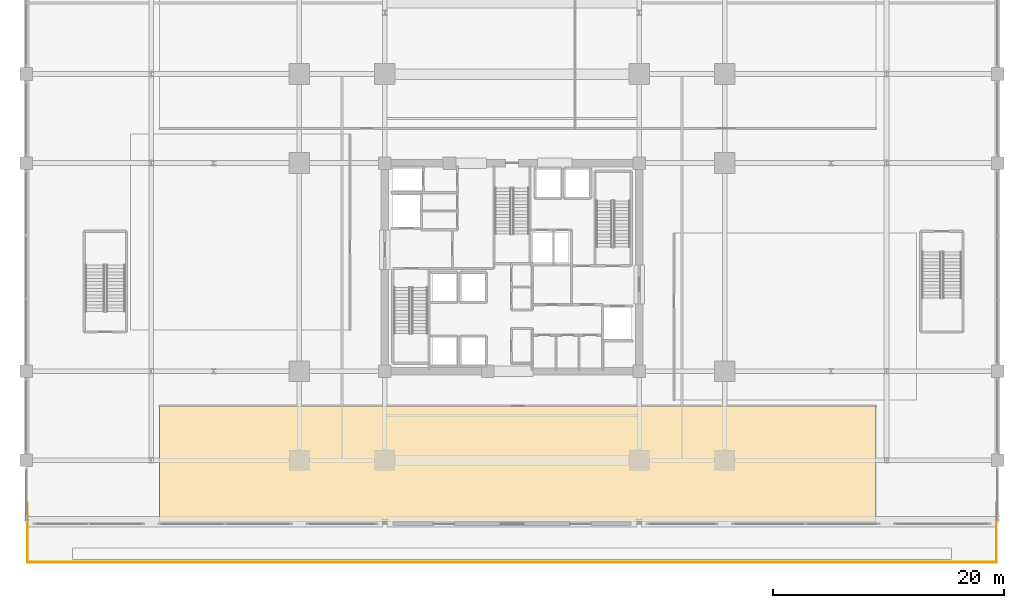
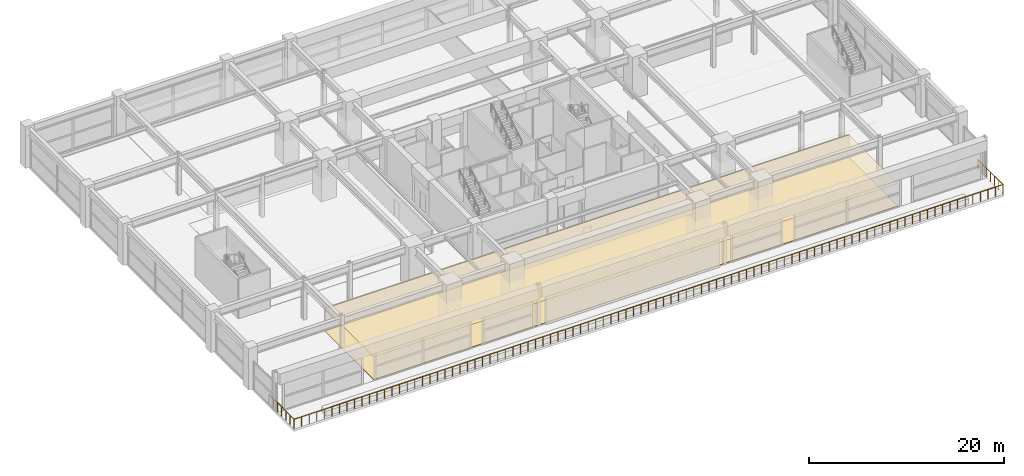
# One storey, part 40 of 43: 2 coverings, 1 railing.
"""IFC4 building model written with IfcOpenShell, lengths in metres."""

from ifc_helpers import new_model, si_unit, direction, frame, origin, origin_2d, place, context, subcontext, project, spatial, polyline, circle, outline, extrude, material, layer, layer_set, type_object, element, save


model = new_model("IFC4")

# Units and contexts
model_context = context("Model", 3, precision=1e-05, world=origin(), true_north=direction((0.0, 1.0)))
body_context = subcontext(model_context, "Body", "Model", "MODEL_VIEW")
ifc_project = project(units=[si_unit("LENGTHUNIT", "METRE"), si_unit("AREAUNIT", "SQUARE_METRE"), si_unit("VOLUMEUNIT", "CUBIC_METRE"), si_unit("PLANEANGLEUNIT", "RADIAN"), si_unit("MASSUNIT", "GRAM", prefix="KILO")], contexts=[model_context])

# Site, building, storey
site_placement = place(None, origin())
site = spatial("IfcSite", under=ifc_project, at=site_placement, CompositionType="ELEMENT")
building_placement = place(site_placement, origin())
building = spatial("IfcBuilding", under=site, at=building_placement, Name="Kovane Verandah Tower", CompositionType="ELEMENT")
storey_placement = place(building_placement, frame((0.0, 0.0, 11.199951171875)))
storey = spatial("IfcBuildingStorey", under=building, at=storey_placement, Name="L02", CompositionType="ELEMENT", Elevation=11.199951171875)

# Coverings
ifc_material_1 = material(Name="Perforated Acoustic Mineral-Fibre Ceiling Tile", Category="gypsum")
ifc_layer_1 = layer(ifc_material_1, 0.02490234375)
ifc_layer_set_1 = layer_set([ifc_layer_1], Name="Perforated Acoustic Mineral-Fibre Ceiling Tile")
covering_type_1 = type_object("IfcCoveringType", Name="CV-CEIL-25", PredefinedType="CEILING", material=ifc_layer_set_1)
covering_1_placement = place(storey_placement, frame((0.0, 0.0, 2.824951171875)))
element("IfcCovering", 1, at=covering_1_placement, inside=storey, type_object=covering_type_1, Name="L02 South Exhibition Gallery Acoustic Ceiling", PredefinedType="CEILING", context=body_context, shape_type="SweptSolid", body=[
    extrude(outline(polyline([(9.5, 5.449951171875), (71.5, 5.449951171875), (71.5, 15.5), (9.5, 15.5), (9.5, 5.449951171875)])), origin(), (0.0, 0.0, 1.0), 0.025146484375),
])
ifc_material_2 = material(Name="Polished Terrazzo and Raised-Access Carpet Tile Finish", Category="concrete")
ifc_layer_2 = layer(ifc_material_2, 0.030029296875)
ifc_layer_set_2 = layer_set([ifc_layer_2], Name="Polished Terrazzo and Raised-Access Carpet Tile Finish")
covering_type_2 = type_object("IfcCoveringType", Name="CV-FLOR-30", PredefinedType="FLOORING", material=ifc_layer_set_2)
covering_2_placement = place(storey_placement, origin())
element("IfcCovering", 2, at=covering_2_placement, inside=storey, type_object=covering_type_2, Name="L02 South Exhibition Gallery Floor Finish", PredefinedType="FLOORING", context=body_context, shape_type="SweptSolid", body=[
    extrude(outline(polyline([(9.5, 5.449951171875), (71.5, 5.449951171875), (71.5, 15.5), (9.5, 15.5), (9.5, 5.449951171875)])), origin(), (0.0, 0.0, 1.0), 0.030029296875),
])

# Railing
ifc_material_3 = material(Name="Pale-Champagne Stainless Steel and Glass Perimeter Guard", Category="steel")
railing_type = type_object("IfcRailingType", Name="RL-GDN-1200", PredefinedType="GUARDRAIL", material=ifc_material_3)
railing_placement = place(storey_placement, frame((-1.919921875, 7.10009765625, 0.0)))
element("IfcRailing", 3, at=railing_placement, inside=storey, type_object=railing_type, Name="L02 Cascading Garden Terrace Balustrade", PredefinedType="GUARDRAIL", context=body_context, shape_type="SweptSolid", body=[
    extrude(circle(Radius=0.02392578125, at=origin_2d()), frame((0.0, 0.0, 1.17578125), z_axis=(0.0, -1.0, 0.0), x_axis=(1.0, 0.0, 0.0)), (0.0, 0.0, 1.0), 5.1201171875),
    extrude(circle(Radius=0.02392578125, at=origin_2d()), frame((0.0, -5.1201171875, 1.17578125), z_axis=(1.0, 0.0, 0.0), x_axis=(0.0, 1.0, 0.0)), (0.0, 0.0, 1.0), 83.83984375),
    extrude(circle(Radius=0.02392578125, at=origin_2d()), frame((83.83984375, -5.1201171875, 1.17578125), z_axis=(0.0, 1.0, 0.0), x_axis=(-1.0, 0.0, 0.0)), (0.0, 0.0, 1.0), 5.1201171875),
    extrude(circle(Radius=0.02099609375, at=origin_2d()), origin(), (0.0, 0.0, 1.0), 1.15185546875),
    extrude(circle(Radius=0.02099609375, at=origin_2d()), frame((0.0, -0.853271484375, 0.0)), (0.0, 0.0, 1.0), 1.15185546875),
    extrude(circle(Radius=0.02099609375, at=origin_2d()), frame((0.0, -1.706787109375, 0.0)), (0.0, 0.0, 1.0), 1.15185546875),
    extrude(circle(Radius=0.02099609375, at=origin_2d()), frame((0.0, -2.56005859375, 0.0)), (0.0, 0.0, 1.0), 1.15185546875),
    extrude(circle(Radius=0.02099609375, at=origin_2d()), frame((0.0, -3.413330078125, 0.0)), (0.0, 0.0, 1.0), 1.15185546875),
    extrude(circle(Radius=0.02099609375, at=origin_2d()), frame((0.0, -4.266845703125, 0.0)), (0.0, 0.0, 1.0), 1.15185546875),
    extrude(circle(Radius=0.02099609375, at=origin_2d()), frame((0.0, -5.1201171875, 0.0)), (0.0, 0.0, 1.0), 1.15185546875),
    extrude(circle(Radius=0.02099609375, at=origin_2d()), frame((0.891845703125, -5.1201171875, 0.0)), (0.0, 0.0, 1.0), 1.15185546875),
    extrude(circle(Radius=0.02099609375, at=origin_2d()), frame((1.783935546875, -5.1201171875, 0.0)), (0.0, 0.0, 1.0), 1.15185546875),
    extrude(circle(Radius=0.02099609375, at=origin_2d()), frame((2.67578125, -5.1201171875, 0.0)), (0.0, 0.0, 1.0), 1.15185546875),
    extrude(circle(Radius=0.02099609375, at=origin_2d()), frame((3.567626953125, -5.1201171875, 0.0)), (0.0, 0.0, 1.0), 1.15185546875),
    extrude(circle(Radius=0.02099609375, at=origin_2d()), frame((4.45947265625, -5.1201171875, 0.0)), (0.0, 0.0, 1.0), 1.15185546875),
    extrude(circle(Radius=0.02099609375, at=origin_2d()), frame((5.3515625, -5.1201171875, 0.0)), (0.0, 0.0, 1.0), 1.15185546875),
    extrude(circle(Radius=0.02099609375, at=origin_2d()), frame((6.243408203125, -5.1201171875, 0.0)), (0.0, 0.0, 1.0), 1.15185546875),
    extrude(circle(Radius=0.02099609375, at=origin_2d()), frame((7.13525390625, -5.1201171875, 0.0)), (0.0, 0.0, 1.0), 1.15185546875),
    extrude(circle(Radius=0.02099609375, at=origin_2d()), frame((8.027099609375, -5.1201171875, 0.0)), (0.0, 0.0, 1.0), 1.15185546875),
    extrude(circle(Radius=0.02099609375, at=origin_2d()), frame((8.919189453125, -5.1201171875, 0.0)), (0.0, 0.0, 1.0), 1.15185546875),
    extrude(circle(Radius=0.02099609375, at=origin_2d()), frame((9.81103515625, -5.1201171875, 0.0)), (0.0, 0.0, 1.0), 1.15185546875),
    extrude(circle(Radius=0.02099609375, at=origin_2d()), frame((10.702880859375, -5.1201171875, 0.0)), (0.0, 0.0, 1.0), 1.15185546875),
    extrude(circle(Radius=0.02099609375, at=origin_2d()), frame((11.594970703125, -5.1201171875, 0.0)), (0.0, 0.0, 1.0), 1.15185546875),
    extrude(circle(Radius=0.02099609375, at=origin_2d()), frame((12.48681640625, -5.1201171875, 0.0)), (0.0, 0.0, 1.0), 1.15185546875),
    extrude(circle(Radius=0.02099609375, at=origin_2d()), frame((13.378662109375, -5.1201171875, 0.0)), (0.0, 0.0, 1.0), 1.15185546875),
    extrude(circle(Radius=0.02099609375, at=origin_2d()), frame((14.2705078125, -5.1201171875, 0.0)), (0.0, 0.0, 1.0), 1.15185546875),
    extrude(circle(Radius=0.02099609375, at=origin_2d()), frame((15.16259765625, -5.1201171875, 0.0)), (0.0, 0.0, 1.0), 1.15185546875),
    extrude(circle(Radius=0.02099609375, at=origin_2d()), frame((16.054443359375, -5.1201171875, 0.0)), (0.0, 0.0, 1.0), 1.15185546875),
    extrude(circle(Radius=0.02099609375, at=origin_2d()), frame((16.9462890625, -5.1201171875, 0.0)), (0.0, 0.0, 1.0), 1.15185546875),
    extrude(circle(Radius=0.02099609375, at=origin_2d()), frame((17.83837890625, -5.1201171875, 0.0)), (0.0, 0.0, 1.0), 1.15185546875),
    extrude(circle(Radius=0.02099609375, at=origin_2d()), frame((18.730224609375, -5.1201171875, 0.0)), (0.0, 0.0, 1.0), 1.15185546875),
    extrude(circle(Radius=0.02099609375, at=origin_2d()), frame((19.6220703125, -5.1201171875, 0.0)), (0.0, 0.0, 1.0), 1.15185546875),
    extrude(circle(Radius=0.02099609375, at=origin_2d()), frame((20.513916015625, -5.1201171875, 0.0)), (0.0, 0.0, 1.0), 1.15185546875),
    extrude(circle(Radius=0.02099609375, at=origin_2d()), frame((21.406005859375, -5.1201171875, 0.0)), (0.0, 0.0, 1.0), 1.15185546875),
    extrude(circle(Radius=0.02099609375, at=origin_2d()), frame((22.2978515625, -5.1201171875, 0.0)), (0.0, 0.0, 1.0), 1.15185546875),
    extrude(circle(Radius=0.02099609375, at=origin_2d()), frame((23.189697265625, -5.1201171875, 0.0)), (0.0, 0.0, 1.0), 1.15185546875),
    extrude(circle(Radius=0.02099609375, at=origin_2d()), frame((24.08154296875, -5.1201171875, 0.0)), (0.0, 0.0, 1.0), 1.15185546875),
    extrude(circle(Radius=0.02099609375, at=origin_2d()), frame((24.9736328125, -5.1201171875, 0.0)), (0.0, 0.0, 1.0), 1.15185546875),
    extrude(circle(Radius=0.02099609375, at=origin_2d()), frame((25.865478515625, -5.1201171875, 0.0)), (0.0, 0.0, 1.0), 1.15185546875),
    extrude(circle(Radius=0.02099609375, at=origin_2d()), frame((26.75732421875, -5.1201171875, 0.0)), (0.0, 0.0, 1.0), 1.15185546875),
    extrude(circle(Radius=0.02099609375, at=origin_2d()), frame((27.6494140625, -5.1201171875, 0.0)), (0.0, 0.0, 1.0), 1.15185546875),
    extrude(circle(Radius=0.02099609375, at=origin_2d()), frame((28.541259765625, -5.1201171875, 0.0)), (0.0, 0.0, 1.0), 1.15185546875),
    extrude(circle(Radius=0.02099609375, at=origin_2d()), frame((29.43310546875, -5.1201171875, 0.0)), (0.0, 0.0, 1.0), 1.15185546875),
    extrude(circle(Radius=0.02099609375, at=origin_2d()), frame((30.324951171875, -5.1201171875, 0.0)), (0.0, 0.0, 1.0), 1.15185546875),
    extrude(circle(Radius=0.02099609375, at=origin_2d()), frame((31.217041015625, -5.1201171875, 0.0)), (0.0, 0.0, 1.0), 1.15185546875),
    extrude(circle(Radius=0.02099609375, at=origin_2d()), frame((32.10888671875, -5.1201171875, 0.0)), (0.0, 0.0, 1.0), 1.15185546875),
    extrude(circle(Radius=0.02099609375, at=origin_2d()), frame((33.000732421875, -5.1201171875, 0.0)), (0.0, 0.0, 1.0), 1.15185546875),
    extrude(circle(Radius=0.02099609375, at=origin_2d()), frame((33.892822265625, -5.1201171875, 0.0)), (0.0, 0.0, 1.0), 1.15185546875),
    extrude(circle(Radius=0.02099609375, at=origin_2d()), frame((34.78466796875, -5.1201171875, 0.0)), (0.0, 0.0, 1.0), 1.15185546875),
    extrude(circle(Radius=0.02099609375, at=origin_2d()), frame((35.676513671875, -5.1201171875, 0.0)), (0.0, 0.0, 1.0), 1.15185546875),
    extrude(circle(Radius=0.02099609375, at=origin_2d()), frame((36.568359375, -5.1201171875, 0.0)), (0.0, 0.0, 1.0), 1.15185546875),
    extrude(circle(Radius=0.02099609375, at=origin_2d()), frame((37.46044921875, -5.1201171875, 0.0)), (0.0, 0.0, 1.0), 1.15185546875),
    extrude(circle(Radius=0.02099609375, at=origin_2d()), frame((38.352294921875, -5.1201171875, 0.0)), (0.0, 0.0, 1.0), 1.15185546875),
    extrude(circle(Radius=0.02099609375, at=origin_2d()), frame((39.244140625, -5.1201171875, 0.0)), (0.0, 0.0, 1.0), 1.15185546875),
    extrude(circle(Radius=0.02099609375, at=origin_2d()), frame((40.135986328125, -5.1201171875, 0.0)), (0.0, 0.0, 1.0), 1.15185546875),
    extrude(circle(Radius=0.02099609375, at=origin_2d()), frame((41.028076171875, -5.1201171875, 0.0)), (0.0, 0.0, 1.0), 1.15185546875),
    extrude(circle(Radius=0.02099609375, at=origin_2d()), frame((41.919921875, -5.1201171875, 0.0)), (0.0, 0.0, 1.0), 1.15185546875),
    extrude(circle(Radius=0.02099609375, at=origin_2d()), frame((42.811767578125, -5.1201171875, 0.0)), (0.0, 0.0, 1.0), 1.15185546875),
    extrude(circle(Radius=0.02099609375, at=origin_2d()), frame((43.703857421875, -5.1201171875, 0.0)), (0.0, 0.0, 1.0), 1.15185546875),
    extrude(circle(Radius=0.02099609375, at=origin_2d()), frame((44.595703125, -5.1201171875, 0.0)), (0.0, 0.0, 1.0), 1.15185546875),
    extrude(circle(Radius=0.02099609375, at=origin_2d()), frame((45.487548828125, -5.1201171875, 0.0)), (0.0, 0.0, 1.0), 1.15185546875),
    extrude(circle(Radius=0.02099609375, at=origin_2d()), frame((46.37939453125, -5.1201171875, 0.0)), (0.0, 0.0, 1.0), 1.15185546875),
    extrude(circle(Radius=0.02099609375, at=origin_2d()), frame((47.271484375, -5.1201171875, 0.0)), (0.0, 0.0, 1.0), 1.15185546875),
    extrude(circle(Radius=0.02099609375, at=origin_2d()), frame((48.163330078125, -5.1201171875, 0.0)), (0.0, 0.0, 1.0), 1.15185546875),
    extrude(circle(Radius=0.02099609375, at=origin_2d()), frame((49.05517578125, -5.1201171875, 0.0)), (0.0, 0.0, 1.0), 1.15185546875),
    extrude(circle(Radius=0.02099609375, at=origin_2d()), frame((49.947021484375, -5.1201171875, 0.0)), (0.0, 0.0, 1.0), 1.15185546875),
    extrude(circle(Radius=0.02099609375, at=origin_2d()), frame((50.839111328125, -5.1201171875, 0.0)), (0.0, 0.0, 1.0), 1.15185546875),
    extrude(circle(Radius=0.02099609375, at=origin_2d()), frame((51.73095703125, -5.1201171875, 0.0)), (0.0, 0.0, 1.0), 1.15185546875),
    extrude(circle(Radius=0.02099609375, at=origin_2d()), frame((52.622802734375, -5.1201171875, 0.0)), (0.0, 0.0, 1.0), 1.15185546875),
    extrude(circle(Radius=0.02099609375, at=origin_2d()), frame((53.514892578125, -5.1201171875, 0.0)), (0.0, 0.0, 1.0), 1.15185546875),
    extrude(circle(Radius=0.02099609375, at=origin_2d()), frame((54.40673828125, -5.1201171875, 0.0)), (0.0, 0.0, 1.0), 1.15185546875),
    extrude(circle(Radius=0.02099609375, at=origin_2d()), frame((55.298583984375, -5.1201171875, 0.0)), (0.0, 0.0, 1.0), 1.15185546875),
    extrude(circle(Radius=0.02099609375, at=origin_2d()), frame((56.1904296875, -5.1201171875, 0.0)), (0.0, 0.0, 1.0), 1.15185546875),
    extrude(circle(Radius=0.02099609375, at=origin_2d()), frame((57.08251953125, -5.1201171875, 0.0)), (0.0, 0.0, 1.0), 1.15185546875),
    extrude(circle(Radius=0.02099609375, at=origin_2d()), frame((57.974365234375, -5.1201171875, 0.0)), (0.0, 0.0, 1.0), 1.15185546875),
    extrude(circle(Radius=0.02099609375, at=origin_2d()), frame((58.8662109375, -5.1201171875, 0.0)), (0.0, 0.0, 1.0), 1.15185546875),
    extrude(circle(Radius=0.02099609375, at=origin_2d()), frame((59.75830078125, -5.1201171875, 0.0)), (0.0, 0.0, 1.0), 1.15185546875),
    extrude(circle(Radius=0.02099609375, at=origin_2d()), frame((60.650146484375, -5.1201171875, 0.0)), (0.0, 0.0, 1.0), 1.15185546875),
    extrude(circle(Radius=0.02099609375, at=origin_2d()), frame((61.5419921875, -5.1201171875, 0.0)), (0.0, 0.0, 1.0), 1.15185546875),
    extrude(circle(Radius=0.02099609375, at=origin_2d()), frame((62.433837890625, -5.1201171875, 0.0)), (0.0, 0.0, 1.0), 1.15185546875),
    extrude(circle(Radius=0.02099609375, at=origin_2d()), frame((63.325927734375, -5.1201171875, 0.0)), (0.0, 0.0, 1.0), 1.15185546875),
    extrude(circle(Radius=0.02099609375, at=origin_2d()), frame((64.2177734375, -5.1201171875, 0.0)), (0.0, 0.0, 1.0), 1.15185546875),
    extrude(circle(Radius=0.02099609375, at=origin_2d()), frame((65.109619140625, -5.1201171875, 0.0)), (0.0, 0.0, 1.0), 1.15185546875),
    extrude(circle(Radius=0.02099609375, at=origin_2d()), frame((66.00146484375, -5.1201171875, 0.0)), (0.0, 0.0, 1.0), 1.15185546875),
    extrude(circle(Radius=0.02099609375, at=origin_2d()), frame((66.8935546875, -5.1201171875, 0.0)), (0.0, 0.0, 1.0), 1.15185546875),
    extrude(circle(Radius=0.02099609375, at=origin_2d()), frame((67.785400390625, -5.1201171875, 0.0)), (0.0, 0.0, 1.0), 1.15185546875),
    extrude(circle(Radius=0.02099609375, at=origin_2d()), frame((68.67724609375, -5.1201171875, 0.0)), (0.0, 0.0, 1.0), 1.15185546875),
    extrude(circle(Radius=0.02099609375, at=origin_2d()), frame((69.5693359375, -5.1201171875, 0.0)), (0.0, 0.0, 1.0), 1.15185546875),
    extrude(circle(Radius=0.02099609375, at=origin_2d()), frame((70.461181640625, -5.1201171875, 0.0)), (0.0, 0.0, 1.0), 1.15185546875),
    extrude(circle(Radius=0.02099609375, at=origin_2d()), frame((71.35302734375, -5.1201171875, 0.0)), (0.0, 0.0, 1.0), 1.15185546875),
    extrude(circle(Radius=0.02099609375, at=origin_2d()), frame((72.244873046875, -5.1201171875, 0.0)), (0.0, 0.0, 1.0), 1.15185546875),
    extrude(circle(Radius=0.02099609375, at=origin_2d()), frame((73.136962890625, -5.1201171875, 0.0)), (0.0, 0.0, 1.0), 1.15185546875),
    extrude(circle(Radius=0.02099609375, at=origin_2d()), frame((74.02880859375, -5.1201171875, 0.0)), (0.0, 0.0, 1.0), 1.15185546875),
    extrude(circle(Radius=0.02099609375, at=origin_2d()), frame((74.920654296875, -5.1201171875, 0.0)), (0.0, 0.0, 1.0), 1.15185546875),
    extrude(circle(Radius=0.02099609375, at=origin_2d()), frame((75.812744140625, -5.1201171875, 0.0)), (0.0, 0.0, 1.0), 1.15185546875),
    extrude(circle(Radius=0.02099609375, at=origin_2d()), frame((76.70458984375, -5.1201171875, 0.0)), (0.0, 0.0, 1.0), 1.15185546875),
    extrude(circle(Radius=0.02099609375, at=origin_2d()), frame((77.596435546875, -5.1201171875, 0.0)), (0.0, 0.0, 1.0), 1.15185546875),
    extrude(circle(Radius=0.02099609375, at=origin_2d()), frame((78.48828125, -5.1201171875, 0.0)), (0.0, 0.0, 1.0), 1.15185546875),
    extrude(circle(Radius=0.02099609375, at=origin_2d()), frame((79.38037109375, -5.1201171875, 0.0)), (0.0, 0.0, 1.0), 1.15185546875),
    extrude(circle(Radius=0.02099609375, at=origin_2d()), frame((80.272216796875, -5.1201171875, 0.0)), (0.0, 0.0, 1.0), 1.15185546875),
    extrude(circle(Radius=0.02099609375, at=origin_2d()), frame((81.1640625, -5.1201171875, 0.0)), (0.0, 0.0, 1.0), 1.15185546875),
    extrude(circle(Radius=0.02099609375, at=origin_2d()), frame((82.055908203125, -5.1201171875, 0.0)), (0.0, 0.0, 1.0), 1.15185546875),
    extrude(circle(Radius=0.02099609375, at=origin_2d()), frame((82.947998046875, -5.1201171875, 0.0)), (0.0, 0.0, 1.0), 1.15185546875),
    extrude(circle(Radius=0.02099609375, at=origin_2d()), frame((83.83984375, -5.1201171875, 0.0)), (0.0, 0.0, 1.0), 1.15185546875),
    extrude(circle(Radius=0.02099609375, at=origin_2d()), frame((83.83984375, -4.266845703125, 0.0)), (0.0, 0.0, 1.0), 1.15185546875),
    extrude(circle(Radius=0.02099609375, at=origin_2d()), frame((83.83984375, -3.413330078125, 0.0)), (0.0, 0.0, 1.0), 1.15185546875),
    extrude(circle(Radius=0.02099609375, at=origin_2d()), frame((83.83984375, -2.56005859375, 0.0)), (0.0, 0.0, 1.0), 1.15185546875),
    extrude(circle(Radius=0.02099609375, at=origin_2d()), frame((83.83984375, -1.706787109375, 0.0)), (0.0, 0.0, 1.0), 1.15185546875),
    extrude(circle(Radius=0.02099609375, at=origin_2d()), frame((83.83984375, -0.853271484375, 0.0)), (0.0, 0.0, 1.0), 1.15185546875),
    extrude(circle(Radius=0.02099609375, at=origin_2d()), frame((83.83984375, 0.0, 0.0)), (0.0, 0.0, 1.0), 1.15185546875),
])

save(model, "model.ifc")
